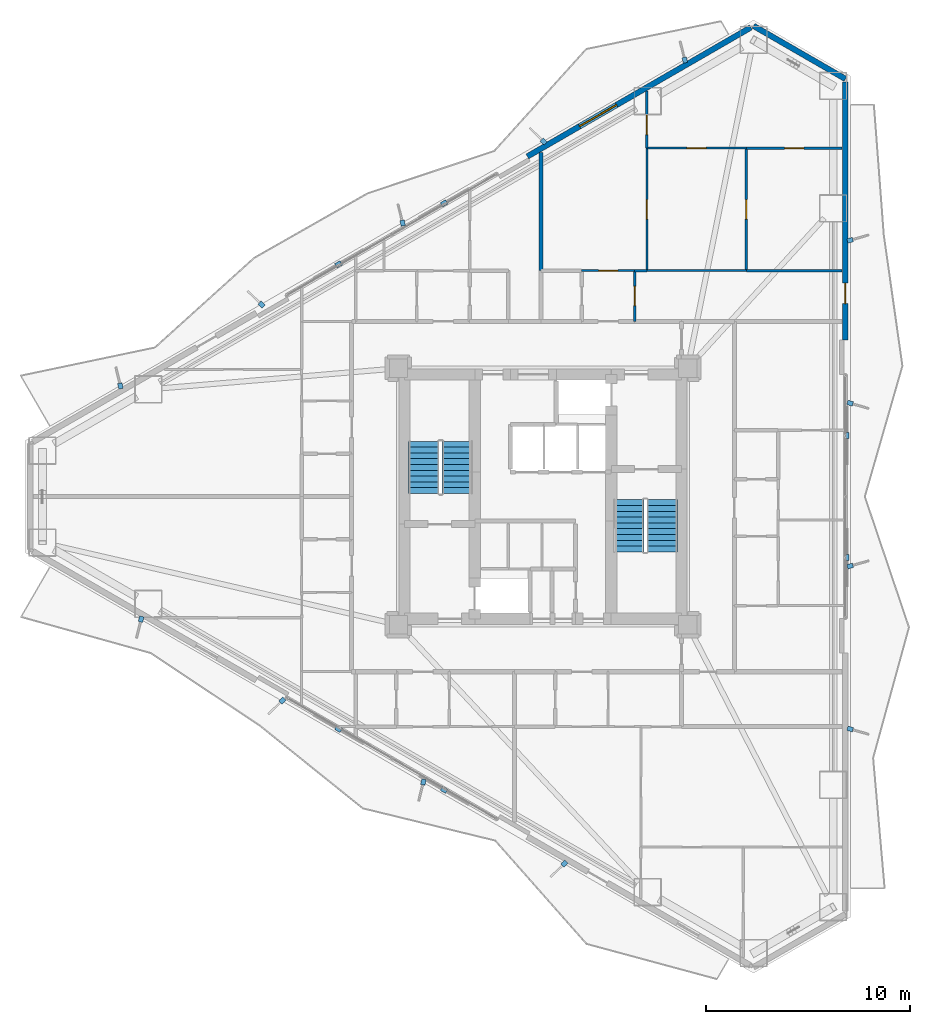
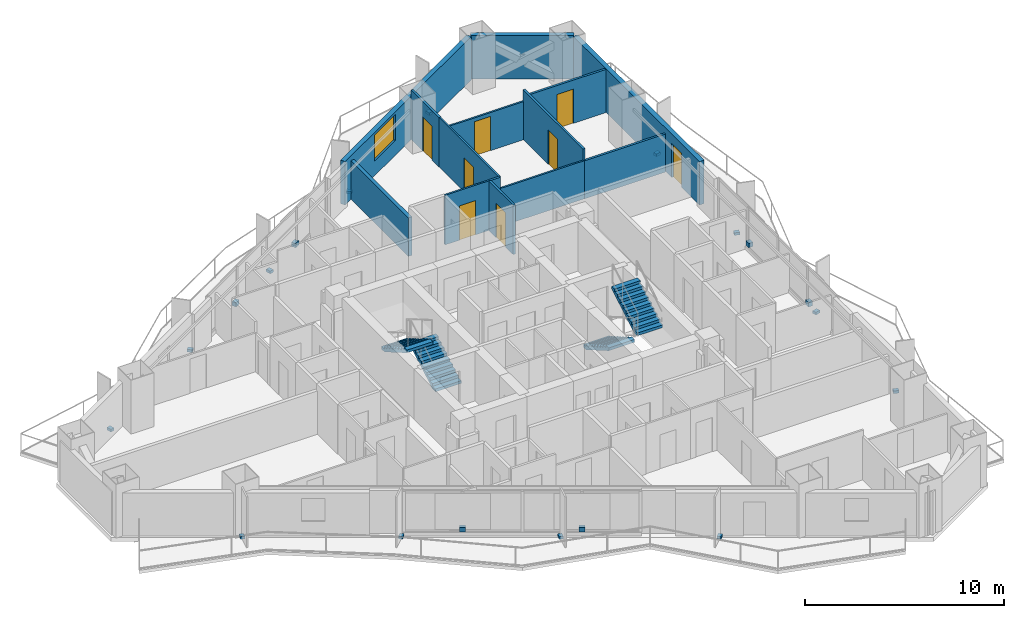
# One storey, part 16 of 18: 19 discrete accessories, 14 walls, 8 doors, 4 stair flights, 1 window, 9 openings, 2 elements without a shape of their own.
"""IFC4 building model written with IfcOpenShell, lengths in metres."""

from ifc_helpers import new_model, si_unit, direction, frame, frame_2d, origin, origin_2d, place, context, subcontext, project, spatial, polyline, rectangle, outline, extrude, material, layer, layer_set, type_object, element, fill, aggregate, save


model = new_model("IFC4")

# Units and contexts
model_context = context("Model", 3, precision=1e-05, world=origin(), true_north=direction((0.0, 1.0)))
body_context = subcontext(model_context, "Body", "Model", "MODEL_VIEW")
ifc_project = project(units=[si_unit("LENGTHUNIT", "METRE"), si_unit("AREAUNIT", "SQUARE_METRE"), si_unit("VOLUMEUNIT", "CUBIC_METRE"), si_unit("PLANEANGLEUNIT", "RADIAN"), si_unit("MASSUNIT", "GRAM", prefix="KILO")], contexts=[model_context])

# Site, building, storey
site_placement = place(None, origin())
site = spatial("IfcSite", under=ifc_project, at=site_placement, CompositionType="ELEMENT")
building_placement = place(site_placement, origin())
building = spatial("IfcBuilding", under=site, at=building_placement, Name="Mersakhor Tower and Convention Hall", CompositionType="ELEMENT")
storey_placement = place(building_placement, frame((0.0, 0.0, 39.0)))
storey = spatial("IfcBuildingStorey", under=building, at=storey_placement, Name="L10", CompositionType="ELEMENT", Elevation=39.0)

# Wall
ifc_material_1 = material(Name="Precast concrete C45/55", Category="concrete")
ifc_layer_1 = layer(ifc_material_1, 0.27490234375)
ifc_layer_set_1 = layer_set([ifc_layer_1], Name="Precast concrete C45/55")
wall_type_1 = type_object("IfcWallType", Name="WL-EXT-275", PredefinedType="SOLIDWALL", material=ifc_layer_set_1)
wall_1_placement = place(storey_placement, frame((39.3369140625, 49.865234375, 0.0), z_axis=(0.0, 0.0, 1.0), x_axis=(0.866043601342, -0.499968479581, 0.0)))
element("IfcWall", 1, at=wall_1_placement, inside=storey, type_object=wall_type_1, Name="L10 Chamfer Braced Spandrel Wall C1", PredefinedType="SOLIDWALL", context=body_context, shape_type="SweptSolid", body=[
    extrude(rectangle(XDim=5.211181640625, YDim=0.27490234375, at=frame_2d((2.60546875, 0.0))), origin(), (0.0, 0.0, 1.0), 2.659912109375),
])

# Wall, opening, window
wall_2_placement = place(storey_placement, frame((28.231689453125, 43.453857421875, 0.0), z_axis=(0.0, 0.0, 1.0), x_axis=(0.86603192154, 0.499988710747, 0.0)))
wall_2 = element("IfcWall", 2, at=wall_2_placement, inside=storey, type_object=wall_type_1, Name="L10 Exterior Facade Wall F1-B3", PredefinedType="SOLIDWALL", context=body_context, shape_type="SweptSolid", body=[
    extrude(rectangle(XDim=12.673095703125, YDim=0.27490234375, at=frame_2d((6.33642578125, 0.0))), origin(), (0.0, 0.0, 1.0), 2.659912109375),
])
opening_1_placement = place(wall_2_placement, frame((2.9599609375, 0.0, 0.89990234375)))
opening_1 = element("IfcOpeningElement", 3, at=opening_1_placement, cuts=wall_2, Name="Opening W-04", PredefinedType="OPENING", context=body_context, shape_type="SweptSolid", body=[
    extrude(rectangle(XDim=2.10009765625, YDim=1.60009765625, at=frame_2d((1.050048828125, 0.800048828125))), frame((0.0, 0.1474609375, 0.0), z_axis=(0.0, -1.0, 0.0), x_axis=(1.0, 0.0, 0.0)), (0.0, 0.0, 1.0), 0.294921875),
])
ifc_material_2 = material(Name="Dark solar low-E glazed aluminium window", Category="aluminium")
window_type = type_object("IfcWindowType", Name="WN-RES-210x160", PartitioningType="SINGLE_PANEL", PredefinedType="WINDOW", material=ifc_material_2)
window_placement = place(opening_1_placement, origin())
window = element("IfcWindow", 4, at=window_placement, inside=storey, type_object=window_type, Name="L10 Facade Punched Window F1-B3", OverallHeight=1.60009765625, OverallWidth=2.10009765625, PartitioningType="SINGLE_PANEL", PredefinedType="WINDOW", context=body_context, shape_type="SweptSolid", body=[
    extrude(rectangle(XDim=2.10009765625, YDim=1.60009765625, at=frame_2d((1.050048828125, 0.800048828125))), frame((0.0, 0.030029296875, 0.0), z_axis=(0.0, -1.0, 0.0), x_axis=(1.0, 0.0, 0.0)), (0.0, 0.0, 1.0), 0.06005859375),
])
fill(opening_1, window)

# Wall, opening, door
wall_3_placement = place(storey_placement, frame((43.85009765625, 47.109619140625, 0.0), z_axis=(0.0, 0.0, 1.0), x_axis=(0.0, -1.0, 0.0)))
wall_3 = element("IfcWall", 5, at=wall_3_placement, inside=storey, type_object=wall_type_1, Name="L10 Exterior Facade Wall F2-B1", PredefinedType="SOLIDWALL", context=body_context, shape_type="SweptSolid", body=[
    extrude(rectangle(XDim=12.673095703125, YDim=0.27490234375, at=frame_2d((6.33642578125, 0.0))), origin(), (0.0, 0.0, 1.0), 2.659912109375),
])
opening_2_placement = place(wall_3_placement, frame((9.8798828125, 0.0, 0.0)))
opening_2 = element("IfcOpeningElement", 6, at=opening_2_placement, cuts=wall_3, Name="Opening BD-01", PredefinedType="OPENING", context=body_context, shape_type="SweptSolid", body=[
    extrude(rectangle(XDim=1.0, YDim=2.10009765625, at=frame_2d((0.5, 1.050048828125))), frame((0.0, 0.1474609375, 0.0), z_axis=(0.0, -1.0, 0.0), x_axis=(1.0, 0.0, 0.0)), (0.0, 0.0, 1.0), 0.294921875),
])
ifc_material_3 = material(Name="Thermally broken dark aluminium and safety glass", Category="aluminium")
door_type_1 = type_object("IfcDoorType", Name="DR-BAL-100x210", OperationType="NOTDEFINED", PredefinedType="DOOR", material=ifc_material_3)
door_1_placement = place(opening_2_placement, origin())
door_1 = element("IfcDoor", 7, at=door_1_placement, inside=storey, type_object=door_type_1, Name="L10 Balcony Terrace Door F2-B1", OperationType="SINGLE_SWING_LEFT", OverallHeight=2.10009765625, OverallWidth=1.0, PredefinedType="DOOR", context=body_context, shape_type="SweptSolid", body=[
    extrude(rectangle(XDim=1.0, YDim=2.10009765625, at=frame_2d((0.5, 1.050048828125))), frame((0.0, 0.02490234375, 0.0), z_axis=(0.0, -1.0, 0.0), x_axis=(1.0, 0.0, 0.0)), (0.0, 0.0, 1.0), 0.050048828125),
])
fill(opening_2, door_1)

ifc_material_4 = material(Name="Lightweight gypsum partition", Category="other")
ifc_layer_2 = layer(ifc_material_4, 0.10009765625)
ifc_layer_set_2 = layer_set([ifc_layer_2], Name="Lightweight gypsum partition")
wall_type_2 = type_object("IfcWallType", Name="WL-PRT-100", PredefinedType="PARTITIONING", material=ifc_layer_set_2)
wall_4_placement = place(storey_placement, frame((30.89990234375, 37.85009765625, 0.0), z_axis=(0.0, 0.0, 1.0), x_axis=(1.0, 0.0, 0.0)))
wall_4 = element("IfcWall", 8, at=wall_4_placement, inside=storey, type_object=wall_type_2, Name="L10 Interior Partition Wall P-070", PredefinedType="PARTITIONING", context=body_context, shape_type="SweptSolid", body=[
    extrude(rectangle(XDim=2.60009765625, YDim=0.10009765625, at=frame_2d((1.300048828125, 0.0))), origin(), (0.0, 0.0, 1.0), 3.0400390625),
])
opening_3_placement = place(wall_4_placement, frame((0.824951171875, 0.0, 0.0)))
opening_3 = element("IfcOpeningElement", 9, at=opening_3_placement, cuts=wall_4, Name="Opening RD-01", PredefinedType="OPENING", context=body_context, shape_type="SweptSolid", body=[
    extrude(rectangle(XDim=0.949951171875, YDim=2.10009765625, at=frame_2d((0.47509765625, 1.050048828125))), frame((0.0, 0.06005859375, 0.0), z_axis=(0.0, -1.0, 0.0), x_axis=(1.0, 0.0, 0.0)), (0.0, 0.0, 1.0), 0.1201171875),
])
ifc_material_5 = material(Name="Solid-core hardwood leaf in painted steel frame", Category="steel")
door_type_2 = type_object("IfcDoorType", Name="DR-INT-RM-095x210", OperationType="NOTDEFINED", PredefinedType="DOOR", material=ifc_material_5)
door_2_placement = place(opening_3_placement, origin())
door_2 = element("IfcDoor", 10, at=door_2_placement, inside=storey, type_object=door_type_2, Name="L10 L10 Flat N2 Apartment Hall to L10 Flat N2 Living and Dining Room Door", OperationType="SINGLE_SWING_LEFT", OverallHeight=2.10009765625, OverallWidth=0.949951171875, PredefinedType="DOOR", context=body_context, shape_type="SweptSolid", body=[
    extrude(rectangle(XDim=0.949951171875, YDim=2.10009765625, at=frame_2d((0.47509765625, 1.050048828125))), frame((0.0, 0.02490234375, 0.0), z_axis=(0.0, -1.0, 0.0), x_axis=(1.0, 0.0, 0.0)), (0.0, 0.0, 1.0), 0.050048828125),
])
fill(opening_3, door_2)

# Wall
wall_5_placement = place(storey_placement, frame((34.10009765625, 37.85009765625, 0.0), z_axis=(0.0, 0.0, 1.0), x_axis=(1.0, 0.0, 0.0)))
element("IfcWall", 11, at=wall_5_placement, inside=storey, type_object=wall_type_2, Name="L10 Interior Partition Wall P-098", PredefinedType="PARTITIONING", context=body_context, shape_type="SweptSolid", body=[
    extrude(rectangle(XDim=4.8798828125, YDim=0.10009765625, at=frame_2d((2.43994140625, 0.0))), origin(), (0.0, 0.0, 1.0), 2.33740234375),
])

# Wall, opening, door
wall_6_placement = place(storey_placement, frame((34.10009765625, 43.860107421875, 0.0), z_axis=(0.0, 0.0, 1.0), x_axis=(0.0, -1.0, 0.0)))
wall_6 = element("IfcWall", 12, at=wall_6_placement, inside=storey, type_object=wall_type_2, Name="L10 Interior Partition Wall P-128", PredefinedType="PARTITIONING", context=body_context, shape_type="SweptSolid", body=[
    extrude(rectangle(XDim=6.010009765625, YDim=0.10009765625, at=frame_2d((3.0048828125, 0.0))), origin(), (0.0, 0.0, 1.0), 3.0400390625),
])
opening_4_placement = place(wall_6_placement, frame((2.530029296875, 0.0, 0.0)))
opening_4 = element("IfcOpeningElement", 13, at=opening_4_placement, cuts=wall_6, Name="Opening RD-01", PredefinedType="OPENING", context=body_context, shape_type="SweptSolid", body=[
    extrude(rectangle(XDim=0.949951171875, YDim=2.10009765625, at=frame_2d((0.47509765625, 1.050048828125))), frame((0.0, 0.06005859375, 0.0), z_axis=(0.0, -1.0, 0.0), x_axis=(1.0, 0.0, 0.0)), (0.0, 0.0, 1.0), 0.1201171875),
])
door_3_placement = place(opening_4_placement, origin())
door_3 = element("IfcDoor", 14, at=door_3_placement, inside=storey, type_object=door_type_2, Name="L10 L10 Flat N2 Living and Dining Room to L10 Flat N2 Bedroom 1 Door", OperationType="SINGLE_SWING_RIGHT", OverallHeight=2.10009765625, OverallWidth=0.949951171875, PredefinedType="DOOR", context=body_context, shape_type="SweptSolid", body=[
    extrude(rectangle(XDim=0.949951171875, YDim=2.10009765625, at=frame_2d((0.47509765625, 1.050048828125))), frame((0.0, 0.02490234375, 0.0), z_axis=(0.0, -1.0, 0.0), x_axis=(1.0, 0.0, 0.0)), (0.0, 0.0, 1.0), 0.050048828125),
])
fill(opening_4, door_3)

wall_7_placement = place(storey_placement, frame((34.10009765625, 43.860107421875, 0.0), z_axis=(0.0, 0.0, 1.0), x_axis=(1.0, 0.0, 0.0)))
wall_7 = element("IfcWall", 15, at=wall_7_placement, inside=storey, type_object=wall_type_2, Name="L10 Interior Partition Wall P-130", PredefinedType="PARTITIONING", context=body_context, shape_type="SweptSolid", body=[
    extrude(rectangle(XDim=4.8798828125, YDim=0.10009765625, at=frame_2d((2.43994140625, 0.0))), origin(), (0.0, 0.0, 1.0), 2.33740234375),
])
opening_5_placement = place(wall_7_placement, frame((1.965087890625, 0.0, 0.0)))
opening_5 = element("IfcOpeningElement", 16, at=opening_5_placement, cuts=wall_7, Name="Opening RD-01", PredefinedType="OPENING", context=body_context, shape_type="SweptSolid", body=[
    extrude(rectangle(XDim=0.949951171875, YDim=2.10009765625, at=frame_2d((0.47509765625, 1.050048828125))), frame((0.0, 0.06005859375, 0.0), z_axis=(0.0, -1.0, 0.0), x_axis=(1.0, 0.0, 0.0)), (0.0, 0.0, 1.0), 0.1201171875),
])
door_4_placement = place(opening_5_placement, origin())
door_4 = element("IfcDoor", 17, at=door_4_placement, inside=storey, type_object=door_type_2, Name="L10 L10 Flat N2 Bedroom 1 to L10 Flat N2 Dining Room Door", OperationType="SINGLE_SWING_LEFT", OverallHeight=2.10009765625, OverallWidth=0.949951171875, PredefinedType="DOOR", context=body_context, shape_type="SweptSolid", body=[
    extrude(rectangle(XDim=0.949951171875, YDim=2.10009765625, at=frame_2d((0.47509765625, 1.050048828125))), frame((0.0, 0.02490234375, 0.0), z_axis=(0.0, -1.0, 0.0), x_axis=(1.0, 0.0, 0.0)), (0.0, 0.0, 1.0), 0.050048828125),
])
fill(opening_5, door_4)

ifc_material_6 = material(Name="Gypsum board acoustic partition", Category="other")
ifc_layer_3 = layer(ifc_material_6, 0.125)
ifc_layer_set_3 = layer_set([ifc_layer_3], Name="Gypsum board acoustic partition")
wall_type_3 = type_object("IfcWallType", Name="WL-PRT-125", PredefinedType="PARTITIONING", material=ifc_layer_set_3)
wall_8_placement = place(storey_placement, frame((33.5, 37.85009765625, 0.0), z_axis=(0.0, 0.0, 1.0), x_axis=(0.0, -1.0, 0.0)))
wall_8 = element("IfcWall", 18, at=wall_8_placement, inside=storey, type_object=wall_type_3, Name="L10 Interior Partition Wall P-071", PredefinedType="PARTITIONING", context=body_context, shape_type="SweptSolid", body=[
    extrude(rectangle(XDim=2.5, YDim=0.125, at=frame_2d((1.25, 0.0))), origin(), (0.0, 0.0, 1.0), 3.0400390625),
])
opening_6_placement = place(wall_8_placement, frame((0.77490234375, 0.0, 0.0)))
opening_6 = element("IfcOpeningElement", 19, at=opening_6_placement, cuts=wall_8, Name="Opening RD-01", PredefinedType="OPENING", context=body_context, shape_type="SweptSolid", body=[
    extrude(rectangle(XDim=0.949951171875, YDim=2.10009765625, at=frame_2d((0.47509765625, 1.050048828125))), frame((0.0, 0.072509765625, 0.0), z_axis=(0.0, -1.0, 0.0), x_axis=(1.0, 0.0, 0.0)), (0.0, 0.0, 1.0), 0.14501953125),
])
door_5_placement = place(opening_6_placement, origin())
door_5 = element("IfcDoor", 20, at=door_5_placement, inside=storey, type_object=door_type_2, Name="L10 L10 Flat N2 Apartment Hall to L10 Flat N2 Kitchen Door", OperationType="SINGLE_SWING_RIGHT", OverallHeight=2.10009765625, OverallWidth=0.949951171875, PredefinedType="DOOR", context=body_context, shape_type="SweptSolid", body=[
    extrude(rectangle(XDim=0.949951171875, YDim=2.10009765625, at=frame_2d((0.47509765625, 1.050048828125))), frame((0.0, 0.02490234375, 0.0), z_axis=(0.0, -1.0, 0.0), x_axis=(1.0, 0.0, 0.0)), (0.0, 0.0, 1.0), 0.050048828125),
])
fill(opening_6, door_5)

# Walls
wall_9_placement = place(storey_placement, frame((33.5, 37.85009765625, 0.0), z_axis=(0.0, 0.0, 1.0), x_axis=(1.0, 0.0, 0.0)))
element("IfcWall", 21, at=wall_9_placement, inside=storey, type_object=wall_type_3, Name="L10 Interior Partition Wall P-097", PredefinedType="PARTITIONING", context=body_context, shape_type="SweptSolid", body=[
    extrude(rectangle(XDim=0.60009765625, YDim=0.125, at=frame_2d((0.300048828125, 0.0))), origin(), (0.0, 0.0, 1.0), 3.0400390625),
])
wall_10_placement = place(storey_placement, frame((38.97998046875, 37.85009765625, 0.0), z_axis=(0.0, 0.0, 1.0), x_axis=(1.0, 0.0, 0.0)))
element("IfcWall", 22, at=wall_10_placement, inside=storey, type_object=wall_type_3, Name="L10 Interior Partition Wall P-099", PredefinedType="PARTITIONING", context=body_context, shape_type="SweptSolid", body=[
    extrude(rectangle(XDim=4.70849609375, YDim=0.125, at=frame_2d((2.354248046875, 0.0))), origin(), (0.0, 0.0, 1.0), 2.33740234375),
])

# Wall, opening, door
wall_11_placement = place(storey_placement, frame((34.10009765625, 46.6552734375, 0.0), z_axis=(0.0, 0.0, 1.0), x_axis=(0.0, -1.0, 0.0)))
wall_11 = element("IfcWall", 23, at=wall_11_placement, inside=storey, type_object=wall_type_3, Name="L10 Interior Partition Wall P-127", PredefinedType="PARTITIONING", context=body_context, shape_type="SweptSolid", body=[
    extrude(rectangle(XDim=2.795166015625, YDim=0.125, at=frame_2d((1.3974609375, 0.0))), origin(), (0.0, 0.0, 1.0), 3.0400390625),
])
opening_7_placement = place(wall_11_placement, frame((1.17529296875, 0.0, 0.0)))
opening_7 = element("IfcOpeningElement", 24, at=opening_7_placement, cuts=wall_11, Name="Opening RD-01", PredefinedType="OPENING", context=body_context, shape_type="SweptSolid", body=[
    extrude(rectangle(XDim=0.949951171875, YDim=2.10009765625, at=frame_2d((0.47509765625, 1.050048828125))), frame((0.0, 0.072509765625, 0.0), z_axis=(0.0, -1.0, 0.0), x_axis=(1.0, 0.0, 0.0)), (0.0, 0.0, 1.0), 0.14501953125),
])
door_6_placement = place(opening_7_placement, origin())
door_6 = element("IfcDoor", 25, at=door_6_placement, inside=storey, type_object=door_type_2, Name="L10 L10 Flat N2 Living and Dining Room to L10 Flat N2 Dining Room Door", OperationType="SINGLE_SWING_LEFT", OverallHeight=2.10009765625, OverallWidth=0.949951171875, PredefinedType="DOOR", context=body_context, shape_type="SweptSolid", body=[
    extrude(rectangle(XDim=0.949951171875, YDim=2.10009765625, at=frame_2d((0.47509765625, 1.050048828125))), frame((0.0, 0.02490234375, 0.0), z_axis=(0.0, -1.0, 0.0), x_axis=(1.0, 0.0, 0.0)), (0.0, 0.0, 1.0), 0.050048828125),
])
fill(opening_7, door_6)

wall_12_placement = place(storey_placement, frame((38.97998046875, 43.860107421875, 0.0), z_axis=(0.0, 0.0, 1.0), x_axis=(0.0, -1.0, 0.0)))
wall_12 = element("IfcWall", 26, at=wall_12_placement, inside=storey, type_object=wall_type_3, Name="L10 Interior Partition Wall P-129", PredefinedType="PARTITIONING", context=body_context, shape_type="SweptSolid", body=[
    extrude(rectangle(XDim=6.010009765625, YDim=0.125, at=frame_2d((3.0048828125, 0.0))), origin(), (0.0, 0.0, 1.0), 3.0400390625),
])
opening_8_placement = place(wall_12_placement, frame((2.530029296875, 0.0, 0.0)))
opening_8 = element("IfcOpeningElement", 27, at=opening_8_placement, cuts=wall_12, Name="Opening RD-01", PredefinedType="OPENING", context=body_context, shape_type="SweptSolid", body=[
    extrude(rectangle(XDim=0.949951171875, YDim=2.10009765625, at=frame_2d((0.47509765625, 1.050048828125))), frame((0.0, 0.072509765625, 0.0), z_axis=(0.0, -1.0, 0.0), x_axis=(1.0, 0.0, 0.0)), (0.0, 0.0, 1.0), 0.14501953125),
])
door_7_placement = place(opening_8_placement, origin())
door_7 = element("IfcDoor", 28, at=door_7_placement, inside=storey, type_object=door_type_2, Name="L10 L10 Flat N2 Bedroom 1 to L10 Flat N2 Study Room Door", OperationType="SINGLE_SWING_RIGHT", OverallHeight=2.10009765625, OverallWidth=0.949951171875, PredefinedType="DOOR", context=body_context, shape_type="SweptSolid", body=[
    extrude(rectangle(XDim=0.949951171875, YDim=2.10009765625, at=frame_2d((0.47509765625, 1.050048828125))), frame((0.0, 0.02490234375, 0.0), z_axis=(0.0, -1.0, 0.0), x_axis=(1.0, 0.0, 0.0)), (0.0, 0.0, 1.0), 0.050048828125),
])
fill(opening_8, door_7)

wall_13_placement = place(storey_placement, frame((38.97998046875, 43.860107421875, 0.0), z_axis=(0.0, 0.0, 1.0), x_axis=(1.0, 0.0, 0.0)))
wall_13 = element("IfcWall", 29, at=wall_13_placement, inside=storey, type_object=wall_type_3, Name="L10 Interior Partition Wall P-131", PredefinedType="PARTITIONING", context=body_context, shape_type="SweptSolid", body=[
    extrude(rectangle(XDim=4.70849609375, YDim=0.125, at=frame_2d((2.354248046875, 0.0))), origin(), (0.0, 0.0, 1.0), 2.650390625),
])
opening_9_placement = place(wall_13_placement, frame((1.87939453125, 0.0, 0.0)))
opening_9 = element("IfcOpeningElement", 30, at=opening_9_placement, cuts=wall_13, Name="Opening RD-01", PredefinedType="OPENING", context=body_context, shape_type="SweptSolid", body=[
    extrude(rectangle(XDim=0.949951171875, YDim=2.10009765625, at=frame_2d((0.47509765625, 1.050048828125))), frame((0.0, 0.072509765625, 0.0), z_axis=(0.0, -1.0, 0.0), x_axis=(1.0, 0.0, 0.0)), (0.0, 0.0, 1.0), 0.14501953125),
])
door_8_placement = place(opening_9_placement, origin())
door_8 = element("IfcDoor", 31, at=door_8_placement, inside=storey, type_object=door_type_2, Name="L10 L10 Flat N2 Study Room to L10 Flat N2 Dining Room Door", OperationType="SINGLE_SWING_RIGHT", OverallHeight=2.10009765625, OverallWidth=0.949951171875, PredefinedType="DOOR", context=body_context, shape_type="SweptSolid", body=[
    extrude(rectangle(XDim=0.949951171875, YDim=2.10009765625, at=frame_2d((0.47509765625, 1.050048828125))), frame((0.0, 0.02490234375, 0.0), z_axis=(0.0, -1.0, 0.0), x_axis=(1.0, 0.0, 0.0)), (0.0, 0.0, 1.0), 0.050048828125),
])
fill(opening_9, door_8)

# Wall
ifc_material_7 = material(Name="Acoustic concrete blockwork and gypsum board", Category="masonry")
ifc_layer_4 = layer(ifc_material_7, 0.199951171875)
ifc_layer_set_4 = layer_set([ifc_layer_4], Name="Acoustic concrete blockwork and gypsum board")
wall_type_4 = type_object("IfcWallType", Name="WL-PRT-200", PredefinedType="PARTITIONING", material=ifc_layer_set_4)
wall_14_placement = place(storey_placement, frame((28.89990234375, 43.653076171875, 0.0), z_axis=(0.0, 0.0, 1.0), x_axis=(0.0, -1.0, 0.0)))
element("IfcWall", 32, at=wall_14_placement, inside=storey, type_object=wall_type_4, Name="L10 Interior Partition Wall P-126", PredefinedType="PARTITIONING", context=body_context, shape_type="SweptSolid", body=[
    extrude(rectangle(XDim=5.802978515625, YDim=0.199951171875, at=frame_2d((2.9013671875, 0.0))), origin(), (0.0, 0.0, 1.0), 2.364990234375),
])

# Stair, stair flights
ifc_material_8 = material(Name="Concrete C45/55", Category="concrete")
stair_type = type_object("IfcStairType", Name="ST-TWR-20R", PredefinedType="HALF_TURN_STAIR", material=ifc_material_8)
stair_1_placement = place(storey_placement, origin())
stair_1 = element("IfcStair", 33, at=stair_1_placement, inside=storey, type_object=stair_type, Name="L10 Tower Protected Exit Stair ST-1", PredefinedType="HALF_TURN_STAIR")
ifc_material_9 = material(Name="Concrete C45/55", Category="concrete")
stair_flight_type = type_object("IfcStairFlightType", Name="SFL-TWR-20R", PredefinedType="STRAIGHT", material=ifc_material_9)
stair_flight_1_placement = place(storey_placement, frame((24.800048828125, 26.89990234375, 0.0), z_axis=(0.0, 0.0, 1.0), x_axis=(0.0, 1.0, 0.0)))
stair_flight_1 = element("IfcStairFlight", 34, at=stair_flight_1_placement, type_object=stair_flight_type, Name="ST-1 flight 1", NumberOfRisers=10, NumberOfTreads=9, PredefinedType="STRAIGHT", RiserHeight=0.165, TreadLength=0.285, context=body_context, shape_type="SweptSolid", body=[
    extrude(outline(polyline([(0.0, 0.0), (0.0, 0.1650390625), (0.284912109375, 0.1650390625), (0.284912109375, 0.330078125), (0.570068359375, 0.330078125), (0.570068359375, 0.4951171875), (0.85498046875, 0.4951171875), (0.85498046875, 0.659912109375), (1.139892578125, 0.659912109375), (1.139892578125, 0.824951171875), (1.425048828125, 0.824951171875), (1.425048828125, 0.989990234375), (1.7099609375, 0.989990234375), (1.7099609375, 1.155029296875), (1.9951171875, 1.155029296875), (1.9951171875, 1.320068359375), (2.280029296875, 1.320068359375), (2.280029296875, 1.485107421875), (2.56494140625, 1.485107421875), (2.56494140625, 1.64990234375), (2.56494140625, 1.311767578125), (0.299072265625, 0.0), (0.0, 0.0)])), frame((0.0, 0.75, 0.0), z_axis=(0.0, -1.0, 0.0), x_axis=(1.0, 0.0, 0.0)), (0.0, 0.0, 1.0), 1.5),
])
stair_flight_2_placement = place(storey_placement, frame((23.14990234375, 29.465087890625, 1.64990234375), z_axis=(0.0, 0.0, 1.0), x_axis=(0.0, -1.0, 0.0)))
stair_flight_2 = element("IfcStairFlight", 35, at=stair_flight_2_placement, type_object=stair_flight_type, Name="ST-1 flight 2", NumberOfRisers=10, NumberOfTreads=9, PredefinedType="STRAIGHT", RiserHeight=0.165, TreadLength=0.285, context=body_context, shape_type="SweptSolid", body=[
    extrude(outline(polyline([(0.0, 0.0), (0.0, 0.1650390625), (0.284912109375, 0.1650390625), (0.284912109375, 0.330078125), (0.570068359375, 0.330078125), (0.570068359375, 0.4951171875), (0.85498046875, 0.4951171875), (0.85498046875, 0.659912109375), (1.139892578125, 0.659912109375), (1.139892578125, 0.824951171875), (1.425048828125, 0.824951171875), (1.425048828125, 0.989990234375), (1.7099609375, 0.989990234375), (1.7099609375, 1.155029296875), (1.9951171875, 1.155029296875), (1.9951171875, 1.320068359375), (2.280029296875, 1.320068359375), (2.280029296875, 1.485107421875), (2.56494140625, 1.485107421875), (2.56494140625, 1.64990234375), (2.56494140625, 1.311767578125), (0.299072265625, 0.0), (0.0, 0.0)])), frame((0.0, 0.75, 0.0), z_axis=(0.0, -1.0, 0.0), x_axis=(1.0, 0.0, 0.0)), (0.0, 0.0, 1.0), 1.5),
])
aggregate(stair_1, [stair_flight_1, stair_flight_2])

stair_2_placement = place(storey_placement, origin())
stair_2 = element("IfcStair", 36, at=stair_2_placement, inside=storey, type_object=stair_type, Name="L10 Tower Protected Exit Stair ST-2", PredefinedType="HALF_TURN_STAIR")
stair_flight_3_placement = place(storey_placement, frame((33.199951171875, 26.60009765625, 0.0), z_axis=(0.0, 0.0, 1.0), x_axis=(0.0, -1.0, 0.0)))
stair_flight_3 = element("IfcStairFlight", 37, at=stair_flight_3_placement, type_object=stair_flight_type, Name="ST-2 flight 1", NumberOfRisers=10, NumberOfTreads=9, PredefinedType="STRAIGHT", RiserHeight=0.165, TreadLength=0.285, context=body_context, shape_type="SweptSolid", body=[
    extrude(outline(polyline([(0.0, 0.0), (0.0, 0.1650390625), (0.284912109375, 0.1650390625), (0.284912109375, 0.330078125), (0.570068359375, 0.330078125), (0.570068359375, 0.4951171875), (0.85498046875, 0.4951171875), (0.85498046875, 0.659912109375), (1.139892578125, 0.659912109375), (1.139892578125, 0.824951171875), (1.425048828125, 0.824951171875), (1.425048828125, 0.989990234375), (1.7099609375, 0.989990234375), (1.7099609375, 1.155029296875), (1.9951171875, 1.155029296875), (1.9951171875, 1.320068359375), (2.280029296875, 1.320068359375), (2.280029296875, 1.485107421875), (2.56494140625, 1.485107421875), (2.56494140625, 1.64990234375), (2.56494140625, 1.311767578125), (0.299072265625, 0.0), (0.0, 0.0)])), frame((0.0, 0.75, 0.0), z_axis=(0.0, -1.0, 0.0), x_axis=(1.0, 0.0, 0.0)), (0.0, 0.0, 1.0), 1.5),
])
stair_flight_4_placement = place(storey_placement, frame((34.85009765625, 24.034912109375, 1.64990234375), z_axis=(0.0, 0.0, 1.0), x_axis=(0.0, 1.0, 0.0)))
stair_flight_4 = element("IfcStairFlight", 38, at=stair_flight_4_placement, type_object=stair_flight_type, Name="ST-2 flight 2", NumberOfRisers=10, NumberOfTreads=9, PredefinedType="STRAIGHT", RiserHeight=0.165, TreadLength=0.285, context=body_context, shape_type="SweptSolid", body=[
    extrude(outline(polyline([(0.0, 0.0), (0.0, 0.1650390625), (0.284912109375, 0.1650390625), (0.284912109375, 0.330078125), (0.570068359375, 0.330078125), (0.570068359375, 0.4951171875), (0.85498046875, 0.4951171875), (0.85498046875, 0.659912109375), (1.139892578125, 0.659912109375), (1.139892578125, 0.824951171875), (1.425048828125, 0.824951171875), (1.425048828125, 0.989990234375), (1.7099609375, 0.989990234375), (1.7099609375, 1.155029296875), (1.9951171875, 1.155029296875), (1.9951171875, 1.320068359375), (2.280029296875, 1.320068359375), (2.280029296875, 1.485107421875), (2.56494140625, 1.485107421875), (2.56494140625, 1.64990234375), (2.56494140625, 1.311767578125), (0.299072265625, 0.0), (0.0, 0.0)])), frame((0.0, 0.75, 0.0), z_axis=(0.0, -1.0, 0.0), x_axis=(1.0, 0.0, 0.0)), (0.0, 0.0, 1.0), 1.5),
])
aggregate(stair_2, [stair_flight_3, stair_flight_4])

# Discrete accessories
ifc_material_10 = material(Name="Galvanised steel bracket", Category="steel")
ifc_layer_5 = layer(ifc_material_10, 0.02001953125)
ifc_layer_set_5 = layer_set([ifc_layer_5], Name="Galvanised steel bracket")
discrete_accessory_type = type_object("IfcDiscreteAccessoryType", Name="ACC-BRK-STL", PredefinedType="BRACKET", material=ifc_layer_set_5)
for number, where, z_axis, x_axis, name in (
    (39, (18.957763671875, 38.156982421875, 0.2900390625), (0.0, 0.0, 1.0), (0.866025403784, 0.5, 0.0), "L10 Solar Screen Outrigger Bracket BRK-1-1"),
    (40, (24.142333984375, 41.150390625, 0.2900390625), (0.0, 0.0, 1.0), (0.866025403784, 0.5, 0.0), "L10 Solar Screen Outrigger Bracket BRK-1-2"),
):
    element("IfcDiscreteAccessory", number, at=place(storey_placement, frame(where, z_axis=z_axis, x_axis=x_axis)), inside=storey, type_object=discrete_accessory_type, Name=name, PredefinedType="BRACKET", context=body_context, shape_type="SweptSolid", body=[
        extrude(rectangle(XDim=0.300048828125, YDim=0.239990234375, at=origin_2d()), origin(), (0.0, 0.0, 1.0), 0.260009765625),
    ])
for number, where, z_axis, x_axis, name in (
    (41, (8.24951171875, 32.1826171875, -0.02001953125), (0.0, 0.0, 1.0), (-0.2419218956, 0.970295726276, 0.0), "L10 Facade Fin Base Cleat Bracket FBRK-1-1"),
    (42, (15.177734375, 36.1826171875, -0.02001953125), (0.0, 0.0, 1.0), (-0.719339800339, 0.694658370459, 0.0), "L10 Facade Fin Base Cleat Bracket FBRK-1-2"),
    (43, (22.10595703125, 40.1826171875, -0.02001953125), (0.0, 0.0, 1.0), (-0.2419218956, 0.970295726276, 0.0), "L10 Facade Fin Base Cleat Bracket FBRK-1-3"),
    (44, (29.0341796875, 44.1826171875, -0.02001953125), (0.0, 0.0, 1.0), (-0.719339800339, 0.694658370459, 0.0), "L10 Facade Fin Base Cleat Bracket FBRK-1-4"),
    (45, (35.96240234375, 48.1826171875, -0.02001953125), (0.0, 0.0, 1.0), (-0.2419218956, 0.970295726276, 0.0), "L10 Facade Fin Base Cleat Bracket FBRK-1-5"),
):
    element("IfcDiscreteAccessory", number, at=place(storey_placement, frame(where, z_axis=z_axis, x_axis=x_axis)), inside=storey, type_object=discrete_accessory_type, Name=name, PredefinedType="BRACKET", context=body_context, shape_type="SweptSolid", body=[
        extrude(rectangle(XDim=0.280029296875, YDim=0.219970703125, at=origin_2d()), origin(), (0.0, 0.0, 1.0), 0.159912109375),
    ])
for number, where, z_axis, x_axis, name in (
    (46, (43.89990234375, 29.743408203125, 0.2900390625), (0.0, 0.0, 1.0), (0.0, -1.0, 0.0), "L10 Solar Screen Outrigger Bracket BRK-2-1"),
    (47, (43.89990234375, 23.756591796875, 0.2900390625), (0.0, 0.0, 1.0), (0.0, -1.0, 0.0), "L10 Solar Screen Outrigger Bracket BRK-2-2"),
):
    element("IfcDiscreteAccessory", number, at=place(storey_placement, frame(where, z_axis=z_axis, x_axis=x_axis)), inside=storey, type_object=discrete_accessory_type, Name=name, PredefinedType="BRACKET", context=body_context, shape_type="SweptSolid", body=[
        extrude(rectangle(XDim=0.300048828125, YDim=0.239990234375, at=origin_2d()), origin(), (0.0, 0.0, 1.0), 0.260009765625),
    ])
for number, where, z_axis, x_axis, name in (
    (48, (44.080078125, 39.33740234375, -0.02001953125), (0.0, 0.0, 1.0), (0.961261695938, 0.275637355817, 0.0), "L10 Facade Fin Base Cleat Bracket FBRK-2-1"),
    (49, (44.080078125, 31.33740234375, -0.02001953125), (0.0, 0.0, 1.0), (0.961261695938, -0.275637355817, 0.0), "L10 Facade Fin Base Cleat Bracket FBRK-2-2"),
    (50, (44.080078125, 23.33740234375, -0.02001953125), (0.0, 0.0, 1.0), (0.961261695938, 0.275637355817, 0.0), "L10 Facade Fin Base Cleat Bracket FBRK-2-3"),
    (51, (44.080078125, 15.33740234375, -0.02001953125), (0.0, 0.0, 1.0), (0.961261695938, -0.275637355817, 0.0), "L10 Facade Fin Base Cleat Bracket FBRK-2-4"),
):
    element("IfcDiscreteAccessory", number, at=place(storey_placement, frame(where, z_axis=z_axis, x_axis=x_axis)), inside=storey, type_object=discrete_accessory_type, Name=name, PredefinedType="BRACKET", context=body_context, shape_type="SweptSolid", body=[
        extrude(rectangle(XDim=0.280029296875, YDim=0.219970703125, at=origin_2d()), origin(), (0.0, 0.0, 1.0), 0.159912109375),
    ])
for number, where, z_axis, x_axis, name in (
    (52, (24.14208984375, 12.349609375, 0.2900390625), (0.0, 0.0, 1.0), (-0.866025403784, 0.5, 0.0), "L10 Solar Screen Outrigger Bracket BRK-3-1"),
    (53, (18.957763671875, 15.3427734375, 0.2900390625), (0.0, 0.0, 1.0), (-0.866025403784, 0.5, 0.0), "L10 Solar Screen Outrigger Bracket BRK-3-2"),
):
    element("IfcDiscreteAccessory", number, at=place(storey_placement, frame(where, z_axis=z_axis, x_axis=x_axis)), inside=storey, type_object=discrete_accessory_type, Name=name, PredefinedType="BRACKET", context=body_context, shape_type="SweptSolid", body=[
        extrude(rectangle(XDim=0.300048828125, YDim=0.239990234375, at=origin_2d()), origin(), (0.0, 0.0, 1.0), 0.260009765625),
    ])
for number, where, z_axis, x_axis, name in (
    (54, (30.051513671875, 8.72998046875, -0.02001953125), (0.0, 0.0, 1.0), (-0.719339800339, -0.694658370459, 0.0), "L10 Facade Fin Base Cleat Bracket FBRK-3-1"),
    (55, (23.123291015625, 12.72998046875, -0.02001953125), (0.0, 0.0, 1.0), (-0.2419218956, -0.970295726276, 0.0), "L10 Facade Fin Base Cleat Bracket FBRK-3-2"),
    (56, (16.1953125, 16.72998046875, -0.02001953125), (0.0, 0.0, 1.0), (-0.719339800339, -0.694658370459, 0.0), "L10 Facade Fin Base Cleat Bracket FBRK-3-3"),
    (57, (9.266845703125, 20.72998046875, -0.02001953125), (0.0, 0.0, 1.0), (-0.2419218956, -0.970295726276, 0.0), "L10 Facade Fin Base Cleat Bracket FBRK-3-4"),
):
    element("IfcDiscreteAccessory", number, at=place(storey_placement, frame(where, z_axis=z_axis, x_axis=x_axis)), inside=storey, type_object=discrete_accessory_type, Name=name, PredefinedType="BRACKET", context=body_context, shape_type="SweptSolid", body=[
        extrude(rectangle(XDim=0.280029296875, YDim=0.219970703125, at=origin_2d()), origin(), (0.0, 0.0, 1.0), 0.159912109375),
    ])

save(model, "model.ifc")
